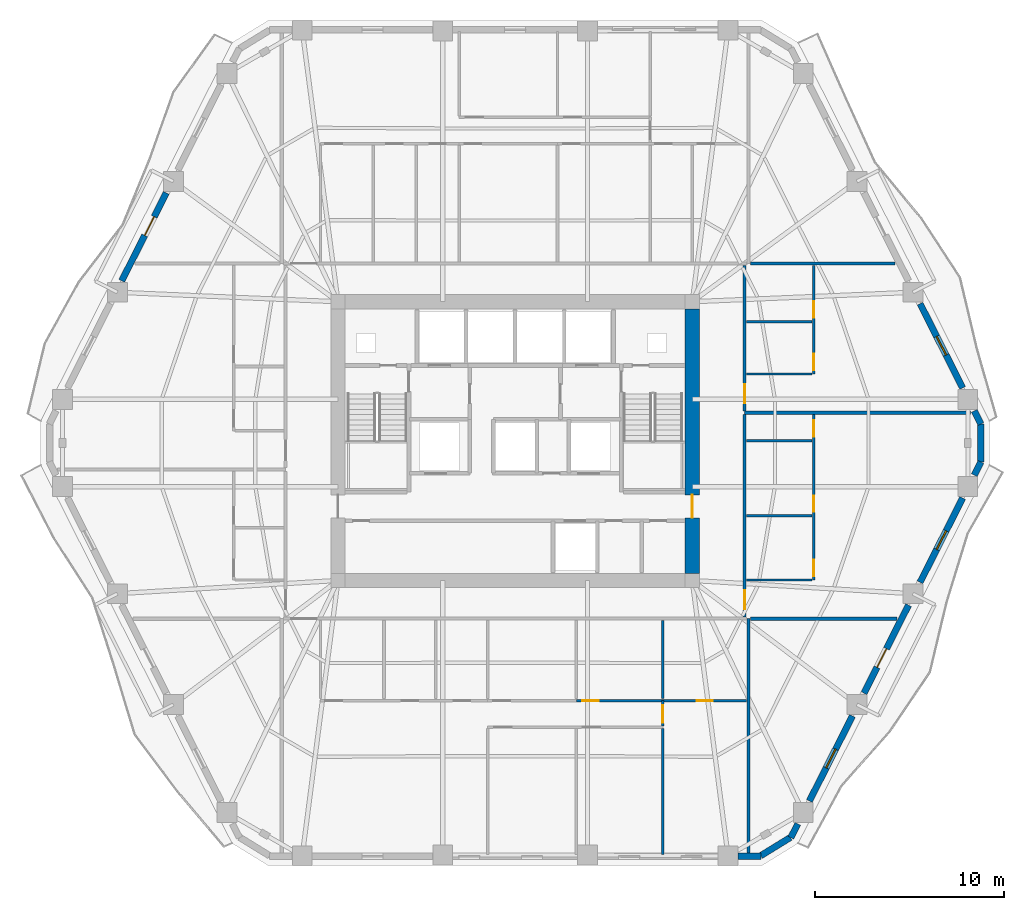
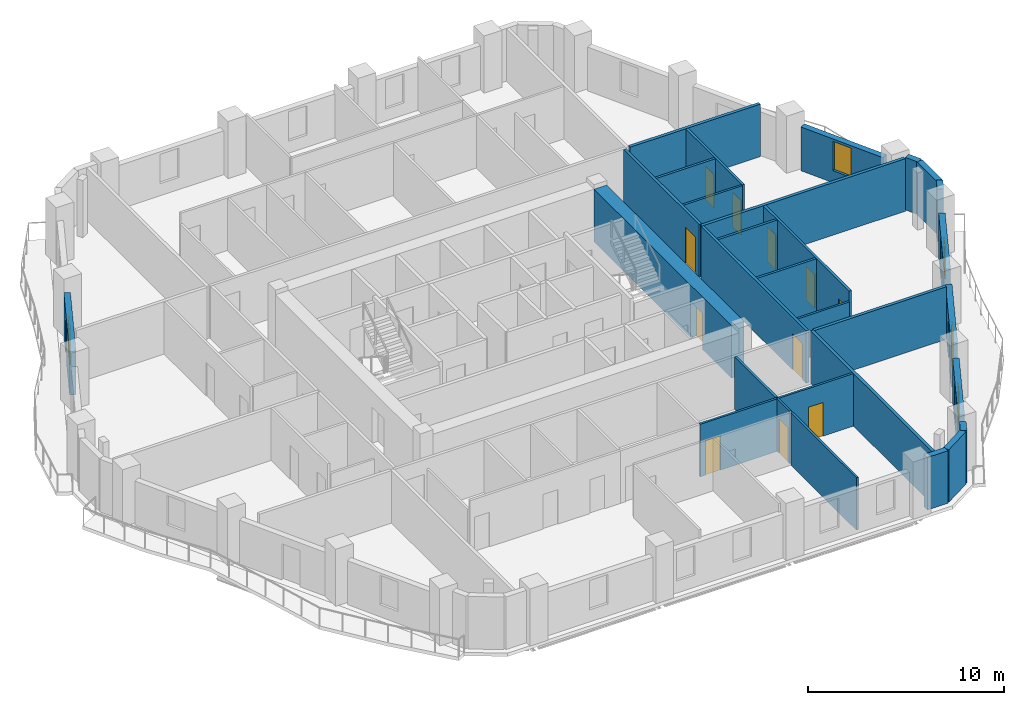
# One storey, part 6 of 11: 29 walls, 13 doors, 3 windows, 16 openings.
"""IFC4 building model written with IfcOpenShell, lengths in metres."""

from ifc_helpers import new_model, si_unit, direction, frame, frame_2d, origin, place, context, subcontext, project, spatial, rectangle, extrude, material, layer, layer_set, type_object, element, fill, save


model = new_model("IFC4")

# Units and contexts
model_context = context("Model", 3, precision=1e-05, world=origin(), true_north=direction((0.0, 1.0)))
body_context = subcontext(model_context, "Body", "Model", "MODEL_VIEW")
ifc_project = project(units=[si_unit("LENGTHUNIT", "METRE"), si_unit("AREAUNIT", "SQUARE_METRE"), si_unit("VOLUMEUNIT", "CUBIC_METRE"), si_unit("PLANEANGLEUNIT", "RADIAN"), si_unit("MASSUNIT", "GRAM", prefix="KILO")], contexts=[model_context])

# Site, building, storey
site_placement = place(None, origin())
site = spatial("IfcSite", under=ifc_project, at=site_placement, CompositionType="ELEMENT")
building_placement = place(site_placement, origin())
building = spatial("IfcBuilding", under=site, at=building_placement, Name="Cinnabar Lancet Tower", CompositionType="ELEMENT")
storey_placement = place(building_placement, frame((0.0, 0.0, 144.550048828125)))
storey = spatial("IfcBuildingStorey", under=building, at=storey_placement, Name="L38", CompositionType="ELEMENT", Elevation=144.550048828125)

# Wall, opening, door
ifc_material_1 = material(Name="Acoustic twin-stud gypsum partition", Category="gypsum")
ifc_layer_1 = layer(ifc_material_1, 0.159912109375)
ifc_layer_set_1 = layer_set([ifc_layer_1], Name="Acoustic twin-stud gypsum partition")
wall_type_1 = type_object("IfcWallType", Name="ARC-WL-CORR-160", PredefinedType="PARTITIONING", material=ifc_layer_set_1)
wall_1_placement = place(storey_placement, frame((44.550048828125, 16.594970703125, 0.0), z_axis=(0.0, 0.0, 1.0), x_axis=(0.0, 1.0, 0.0)))
wall_1 = element("IfcWall", 1, at=wall_1_placement, inside=storey, type_object=wall_type_1, Name="UW-L38-E01-COR", PredefinedType="PARTITIONING", context=body_context, shape_type="SweptSolid", body=[
    extrude(rectangle(XDim=10.714111328125, YDim=0.159912109375, at=frame_2d((5.35693359375, 0.0))), origin(), (0.0, 0.0, 1.0), 3.27001953125),
])
opening_1_placement = place(wall_1_placement, frame((0.39990234375, 0.0, 0.0)))
opening_1 = element("IfcOpeningElement", 2, at=opening_1_placement, cuts=wall_1, Name="Opening UD-01", PredefinedType="OPENING", context=body_context, shape_type="SweptSolid", body=[
    extrude(rectangle(XDim=1.02001953125, YDim=2.25, at=frame_2d((0.510009765625, 1.125))), frame((0.0, 0.08984375, 0.0), z_axis=(0.0, -1.0, 0.0), x_axis=(1.0, 0.0, 0.0)), (0.0, 0.0, 1.0), 0.179931640625),
])
ifc_material_2 = material(Name="Solid timber fire-rated apartment entrance door", Category="wood")
door_type_1 = type_object("IfcDoorType", Name="ARC-DR-UNIT", OperationType="NOTDEFINED", PredefinedType="DOOR", material=ifc_material_2)
door_1_placement = place(opening_1_placement, origin())
door_1 = element("IfcDoor", 3, at=door_1_placement, inside=storey, type_object=door_type_1, Name="DR-L38-E01-ENT", OperationType="SINGLE_SWING_LEFT", OverallHeight=2.25, OverallWidth=1.02001953125, PredefinedType="DOOR", context=body_context, shape_type="SweptSolid", body=[
    extrude(rectangle(XDim=1.02001953125, YDim=2.25, at=frame_2d((0.510009765625, 1.125))), frame((0.0, 0.02490234375, 0.0), z_axis=(0.0, -1.0, 0.0), x_axis=(1.0, 0.0, 0.0)), (0.0, 0.0, 1.0), 0.050048828125),
])
fill(opening_1, door_1)

wall_2_placement = place(storey_placement, frame((44.550048828125, 27.4990234375, 0.0), z_axis=(0.0, 0.0, 1.0), x_axis=(0.0, 1.0, 0.0)))
wall_2 = element("IfcWall", 4, at=wall_2_placement, inside=storey, type_object=wall_type_1, Name="UW-L38-E02-COR", PredefinedType="PARTITIONING", context=body_context, shape_type="SweptSolid", body=[
    extrude(rectangle(XDim=7.7060546875, YDim=0.159912109375, at=frame_2d((3.85302734375, 0.0))), origin(), (0.0, 0.0, 1.0), 3.27001953125),
])
opening_2_placement = place(wall_2_placement, frame((0.39990234375, 0.0, 0.0)))
opening_2 = element("IfcOpeningElement", 5, at=opening_2_placement, cuts=wall_2, Name="Opening UD-01", PredefinedType="OPENING", context=body_context, shape_type="SweptSolid", body=[
    extrude(rectangle(XDim=1.02001953125, YDim=2.25, at=frame_2d((0.510009765625, 1.125))), frame((0.0, 0.08984375, 0.0), z_axis=(0.0, -1.0, 0.0), x_axis=(1.0, 0.0, 0.0)), (0.0, 0.0, 1.0), 0.179931640625),
])
door_2_placement = place(opening_2_placement, origin())
door_2 = element("IfcDoor", 6, at=door_2_placement, inside=storey, type_object=door_type_1, Name="DR-L38-E02-ENT", OperationType="SINGLE_SWING_RIGHT", OverallHeight=2.25, OverallWidth=1.02001953125, PredefinedType="DOOR", context=body_context, shape_type="SweptSolid", body=[
    extrude(rectangle(XDim=1.02001953125, YDim=2.25, at=frame_2d((0.510009765625, 1.125))), frame((0.0, 0.02490234375, 0.0), z_axis=(0.0, -1.0, 0.0), x_axis=(1.0, 0.0, 0.0)), (0.0, 0.0, 1.0), 0.050048828125),
])
fill(opening_2, door_2)

# Walls
ifc_material_3 = material(Name="Fire-rated twin-frame acoustic drywall", Category="gypsum")
ifc_layer_2 = layer(ifc_material_3, 0.179931640625)
ifc_layer_set_2 = layer_set([ifc_layer_2], Name="Fire-rated twin-frame acoustic drywall")
wall_type_2 = type_object("IfcWallType", Name="ARC-WL-PARTY-180", PredefinedType="PARTITIONING", material=ifc_layer_set_2)
wall_3_placement = place(storey_placement, frame((44.75, 4.10498046875, 0.0), z_axis=(0.0, 0.0, 1.0), x_axis=(0.0, 1.0, 0.0)))
element("IfcWall", 7, at=wall_3_placement, inside=storey, type_object=wall_type_2, Name="PW-L38-SPTY-448", PredefinedType="PARTITIONING", context=body_context, shape_type="SweptSolid", body=[
    extrude(rectangle(XDim=12.39501953125, YDim=0.179931640625, at=frame_2d((6.197509765625, 0.0))), origin(), (0.0, 0.0, 1.0), 3.27001953125),
])
wall_4_placement = place(storey_placement, frame((44.844970703125, 16.5, 0.0), z_axis=(0.0, 0.0, 1.0), x_axis=(1.0, 0.0, 0.0)))
element("IfcWall", 8, at=wall_4_placement, inside=storey, type_object=wall_type_2, Name="PW-L38-ESB", PredefinedType="PARTITIONING", context=body_context, shape_type="SweptSolid", body=[
    extrude(rectangle(XDim=7.77001953125, YDim=0.179931640625, at=frame_2d((3.885009765625, 0.0))), origin(), (0.0, 0.0, 1.0), 3.27001953125),
])
wall_5_placement = place(storey_placement, frame((44.844970703125, 35.300048828125, 0.0), z_axis=(0.0, 0.0, 1.0), x_axis=(1.0, 0.0, 0.0)))
element("IfcWall", 9, at=wall_5_placement, inside=storey, type_object=wall_type_2, Name="PW-L38-ENB", PredefinedType="PARTITIONING", context=body_context, shape_type="SweptSolid", body=[
    extrude(rectangle(XDim=7.6689453125, YDim=0.179931640625, at=frame_2d((3.83447265625, 0.0))), origin(), (0.0, 0.0, 1.0), 3.27001953125),
])
wall_6_placement = place(storey_placement, frame((44.550048828125, 27.404052734375, 0.0), z_axis=(0.0, 0.0, 1.0), x_axis=(1.0, 0.0, 0.0)))
element("IfcWall", 10, at=wall_6_placement, inside=storey, type_object=wall_type_2, Name="PW-L38-EPTY-1", PredefinedType="PARTITIONING", context=body_context, shape_type="SweptSolid", body=[
    extrude(rectangle(XDim=11.958984375, YDim=0.179931640625, at=frame_2d((5.9794921875, 0.0))), origin(), (0.0, 0.0, 1.0), 3.27001953125),
])

# Wall, openings, doors
ifc_material_4 = material(Name="Gypsum plasterboard stud partition", Category="gypsum")
ifc_layer_3 = layer(ifc_material_4, 0.125)
ifc_layer_set_3 = layer_set([ifc_layer_3], Name="Gypsum plasterboard stud partition")
wall_type_3 = type_object("IfcWallType", Name="ARC-WL-UNIT-125", PredefinedType="PARTITIONING", material=ifc_layer_set_3)
wall_7_placement = place(storey_placement, frame((35.64208984375, 12.162109375, 0.0), z_axis=(0.0, 0.0, 1.0), x_axis=(1.0, 0.0, 0.0)))
wall_7 = element("IfcWall", 11, at=wall_7_placement, inside=storey, type_object=wall_type_3, Name="UW-L38-S01-SP2", PredefinedType="PARTITIONING", context=body_context, shape_type="SweptSolid", body=[
    extrude(rectangle(XDim=9.012939453125, YDim=0.125, at=frame_2d((4.50634765625, 0.0))), origin(), (0.0, 0.0, 1.0), 3.27001953125),
])
opening_3_placement = place(wall_7_placement, frame((6.3701171875, 0.0, 0.0)))
opening_3 = element("IfcOpeningElement", 12, at=opening_3_placement, cuts=wall_7, Name="Opening BD-01", PredefinedType="OPENING", context=body_context, shape_type="SweptSolid", body=[
    extrude(rectangle(XDim=0.860107421875, YDim=2.10009765625, at=frame_2d((0.43017578125, 1.050048828125))), frame((0.0, 0.072509765625, 0.0), z_axis=(0.0, -1.0, 0.0), x_axis=(1.0, 0.0, 0.0)), (0.0, 0.0, 1.0), 0.14501953125),
])
opening_4_placement = place(wall_7_placement, frame((0.300048828125, 0.0, 0.0)))
opening_4 = element("IfcOpeningElement", 13, at=opening_4_placement, cuts=wall_7, Name="Opening RD-02", PredefinedType="OPENING", context=body_context, shape_type="SweptSolid", body=[
    extrude(rectangle(XDim=0.8798828125, YDim=2.14990234375, at=frame_2d((0.43994140625, 1.074951171875))), frame((0.0, 0.072509765625, 0.0), z_axis=(0.0, -1.0, 0.0), x_axis=(1.0, 0.0, 0.0)), (0.0, 0.0, 1.0), 0.14501953125),
])
ifc_material_5 = material(Name="Moisture-resistant timber bathroom door", Category="wood")
door_type_2 = type_object("IfcDoorType", Name="ARC-DR-BATH", OperationType="NOTDEFINED", PredefinedType="DOOR", material=ifc_material_5)
door_3_placement = place(opening_3_placement, origin())
door_3 = element("IfcDoor", 14, at=door_3_placement, inside=storey, type_object=door_type_2, Name="DR-L38-S01-ENS", OperationType="SINGLE_SWING_LEFT", OverallHeight=2.10009765625, OverallWidth=0.860107421875, PredefinedType="DOOR", context=body_context, shape_type="SweptSolid", body=[
    extrude(rectangle(XDim=0.860107421875, YDim=2.10009765625, at=frame_2d((0.43017578125, 1.050048828125))), frame((0.0, 0.02490234375, 0.0), z_axis=(0.0, -1.0, 0.0), x_axis=(1.0, 0.0, 0.0)), (0.0, 0.0, 1.0), 0.050048828125),
])
fill(opening_3, door_3)
ifc_material_6 = material(Name="Engineered timber study door", Category="wood")
door_type_3 = type_object("IfcDoorType", Name="ARC-DR-STUDY", OperationType="NOTDEFINED", PredefinedType="DOOR", material=ifc_material_6)
door_4_placement = place(opening_4_placement, origin())
door_4 = element("IfcDoor", 15, at=door_4_placement, inside=storey, type_object=door_type_3, Name="DR-L38-S01-DRS", OperationType="SINGLE_SWING_RIGHT", OverallHeight=2.14990234375, OverallWidth=0.8798828125, PredefinedType="DOOR", context=body_context, shape_type="SweptSolid", body=[
    extrude(rectangle(XDim=0.8798828125, YDim=2.14990234375, at=frame_2d((0.43994140625, 1.074951171875))), frame((0.0, 0.02490234375, 0.0), z_axis=(0.0, -1.0, 0.0), x_axis=(1.0, 0.0, 0.0)), (0.0, 0.0, 1.0), 0.050048828125),
])
fill(opening_4, door_4)

# Wall, opening, door
wall_8_placement = place(storey_placement, frame((40.219970703125, 10.83203125, 0.0), z_axis=(0.0, 0.0, 1.0), x_axis=(0.0, 1.0, 0.0)))
wall_8 = element("IfcWall", 16, at=wall_8_placement, inside=storey, type_object=wall_type_3, Name="UW-L38-S01-MBE", PredefinedType="PARTITIONING", context=body_context, shape_type="SweptSolid", body=[
    extrude(rectangle(XDim=1.330078125, YDim=0.125, at=frame_2d((0.6650390625, 0.0))), origin(), (0.0, 0.0, 1.0), 3.27001953125),
])
opening_5_placement = place(wall_8_placement, frame((0.159912109375, 0.0, 0.0)))
opening_5 = element("IfcOpeningElement", 17, at=opening_5_placement, cuts=wall_8, Name="Opening RD-01", PredefinedType="OPENING", context=body_context, shape_type="SweptSolid", body=[
    extrude(rectangle(XDim=0.919921875, YDim=2.14990234375, at=frame_2d((0.4599609375, 1.074951171875))), frame((0.0, 0.072509765625, 0.0), z_axis=(0.0, -1.0, 0.0), x_axis=(1.0, 0.0, 0.0)), (0.0, 0.0, 1.0), 0.14501953125),
])
ifc_material_7 = material(Name="Engineered timber bedroom door", Category="wood")
door_type_4 = type_object("IfcDoorType", Name="ARC-DR-ROOM", OperationType="NOTDEFINED", PredefinedType="DOOR", material=ifc_material_7)
door_5_placement = place(opening_5_placement, origin())
door_5 = element("IfcDoor", 18, at=door_5_placement, inside=storey, type_object=door_type_4, Name="DR-L38-S01-MBD", OperationType="SINGLE_SWING_LEFT", OverallHeight=2.14990234375, OverallWidth=0.919921875, PredefinedType="DOOR", context=body_context, shape_type="SweptSolid", body=[
    extrude(rectangle(XDim=0.919921875, YDim=2.14990234375, at=frame_2d((0.4599609375, 1.074951171875))), frame((0.0, 0.02490234375, 0.0), z_axis=(0.0, -1.0, 0.0), x_axis=(1.0, 0.0, 0.0)), (0.0, 0.0, 1.0), 0.050048828125),
])
fill(opening_5, door_5)

# Walls
wall_9_placement = place(storey_placement, frame((40.219970703125, 4.014892578125, 0.0), z_axis=(0.0, 0.0, 1.0), x_axis=(0.0, 1.0, 0.0)))
element("IfcWall", 19, at=wall_9_placement, inside=storey, type_object=wall_type_3, Name="UW-L38-S01-B23W", PredefinedType="PARTITIONING", context=body_context, shape_type="SweptSolid", body=[
    extrude(rectangle(XDim=6.68212890625, YDim=0.125, at=frame_2d((3.341064453125, 0.0))), origin(), (0.0, 0.0, 1.0), 3.27001953125),
])
wall_10_placement = place(storey_placement, frame((44.635009765625, 18.550048828125, 0.0), z_axis=(0.0, 0.0, 1.0), x_axis=(1.0, 0.0, 0.0)))
element("IfcWall", 20, at=wall_10_placement, inside=storey, type_object=wall_type_3, Name="UW-L38-E01-FOYN", PredefinedType="PARTITIONING", context=body_context, shape_type="SweptSolid", body=[
    extrude(rectangle(XDim=3.47998046875, YDim=0.125, at=frame_2d((1.739990234375, 0.0))), origin(), (0.0, 0.0, 1.0), 2.65185546875),
])
wall_11_placement = place(storey_placement, frame((44.635009765625, 29.4541015625, 0.0), z_axis=(0.0, 0.0, 1.0), x_axis=(1.0, 0.0, 0.0)))
element("IfcWall", 21, at=wall_11_placement, inside=storey, type_object=wall_type_3, Name="UW-L38-E02-FOYN", PredefinedType="PARTITIONING", context=body_context, shape_type="SweptSolid", body=[
    extrude(rectangle(XDim=3.47998046875, YDim=0.125, at=frame_2d((1.739990234375, 0.0))), origin(), (0.0, 0.0, 1.0), 3.27001953125),
])
ifc_material_8 = material(Name="Moisture-resistant cement-board plumbing wall", Category="masonry")
ifc_layer_4 = layer(ifc_material_8, 0.139892578125)
ifc_layer_set_4 = layer_set([ifc_layer_4], Name="Moisture-resistant cement-board plumbing wall")
wall_type_4 = type_object("IfcWallType", Name="ARC-WL-WET-140", PredefinedType="PLUMBINGWALL", material=ifc_layer_set_4)
wall_12_placement = place(storey_placement, frame((40.219970703125, 12.26708984375, 0.0), z_axis=(0.0, 0.0, 1.0), x_axis=(0.0, 1.0, 0.0)))
element("IfcWall", 22, at=wall_12_placement, inside=storey, type_object=wall_type_4, Name="UW-L38-S01-UT3", PredefinedType="PLUMBINGWALL", context=body_context, shape_type="SweptSolid", body=[
    extrude(rectangle(XDim=4.14794921875, YDim=0.139892578125, at=frame_2d((2.073974609375, 0.0))), origin(), (0.0, 0.0, 1.0), 3.27001953125),
])

# Wall, openings, doors
wall_13_placement = place(storey_placement, frame((48.199951171875, 18.550048828125, 0.0), z_axis=(0.0, 0.0, 1.0), x_axis=(0.0, 1.0, 0.0)))
wall_13 = element("IfcWall", 23, at=wall_13_placement, inside=storey, type_object=wall_type_4, Name="UW-L38-E01-SPL", PredefinedType="PLUMBINGWALL", context=body_context, shape_type="SweptSolid", body=[
    extrude(rectangle(XDim=8.759033203125, YDim=0.139892578125, at=frame_2d((4.37939453125, 0.0))), origin(), (0.0, 0.0, 1.0), 3.27001953125),
])
opening_6_placement = place(wall_13_placement, frame((3.60009765625, 0.0, 0.0)))
opening_6 = element("IfcOpeningElement", 24, at=opening_6_placement, cuts=wall_13, Name="Opening BD-01", PredefinedType="OPENING", context=body_context, shape_type="SweptSolid", body=[
    extrude(rectangle(XDim=0.860107421875, YDim=2.10009765625, at=frame_2d((0.43017578125, 1.050048828125))), frame((0.0, 0.079833984375, 0.0), z_axis=(0.0, -1.0, 0.0), x_axis=(1.0, 0.0, 0.0)), (0.0, 0.0, 1.0), 0.159912109375),
])
opening_7_placement = place(wall_13_placement, frame((7.576904296875, 0.0, 0.0)))
opening_7 = element("IfcOpeningElement", 25, at=opening_7_placement, cuts=wall_13, Name="Opening RD-02", PredefinedType="OPENING", context=body_context, shape_type="SweptSolid", body=[
    extrude(rectangle(XDim=0.8798828125, YDim=2.14990234375, at=frame_2d((0.43994140625, 1.074951171875))), frame((0.0, 0.079833984375, 0.0), z_axis=(0.0, -1.0, 0.0), x_axis=(1.0, 0.0, 0.0)), (0.0, 0.0, 1.0), 0.159912109375),
])
opening_8_placement = place(wall_13_placement, frame((0.199951171875, 0.0, 0.0)))
opening_8 = element("IfcOpeningElement", 26, at=opening_8_placement, cuts=wall_13, Name="Opening RD-02", PredefinedType="OPENING", context=body_context, shape_type="SweptSolid", body=[
    extrude(rectangle(XDim=0.8798828125, YDim=2.14990234375, at=frame_2d((0.43994140625, 1.074951171875))), frame((0.0, 0.079833984375, 0.0), z_axis=(0.0, -1.0, 0.0), x_axis=(1.0, 0.0, 0.0)), (0.0, 0.0, 1.0), 0.159912109375),
])
door_6_placement = place(opening_6_placement, origin())
door_6 = element("IfcDoor", 27, at=door_6_placement, inside=storey, type_object=door_type_2, Name="DR-L38-E01-BTH", OperationType="SINGLE_SWING_LEFT", OverallHeight=2.10009765625, OverallWidth=0.860107421875, PredefinedType="DOOR", context=body_context, shape_type="SweptSolid", body=[
    extrude(rectangle(XDim=0.860107421875, YDim=2.10009765625, at=frame_2d((0.43017578125, 1.050048828125))), frame((0.0, 0.02490234375, 0.0), z_axis=(0.0, -1.0, 0.0), x_axis=(1.0, 0.0, 0.0)), (0.0, 0.0, 1.0), 0.050048828125),
])
fill(opening_6, door_6)
door_7_placement = place(opening_7_placement, origin())
door_7 = element("IfcDoor", 28, at=door_7_placement, inside=storey, type_object=door_type_3, Name="DR-L38-E01-WDR", OperationType="SINGLE_SWING_RIGHT", OverallHeight=2.14990234375, OverallWidth=0.8798828125, PredefinedType="DOOR", context=body_context, shape_type="SweptSolid", body=[
    extrude(rectangle(XDim=0.8798828125, YDim=2.14990234375, at=frame_2d((0.43994140625, 1.074951171875))), frame((0.0, 0.02490234375, 0.0), z_axis=(0.0, -1.0, 0.0), x_axis=(1.0, 0.0, 0.0)), (0.0, 0.0, 1.0), 0.050048828125),
])
fill(opening_7, door_7)
door_8_placement = place(opening_8_placement, origin())
door_8 = element("IfcDoor", 29, at=door_8_placement, inside=storey, type_object=door_type_3, Name="DR-L38-E01-KIT", OperationType="SINGLE_SWING_RIGHT", OverallHeight=2.14990234375, OverallWidth=0.8798828125, PredefinedType="DOOR", context=body_context, shape_type="SweptSolid", body=[
    extrude(rectangle(XDim=0.8798828125, YDim=2.14990234375, at=frame_2d((0.43994140625, 1.074951171875))), frame((0.0, 0.02490234375, 0.0), z_axis=(0.0, -1.0, 0.0), x_axis=(1.0, 0.0, 0.0)), (0.0, 0.0, 1.0), 0.050048828125),
])
fill(opening_8, door_8)

# Walls
for number, where, z_axis, x_axis, name in (
    (30, (44.635009765625, 21.949951171875, 0.0), (0.0, 0.0, 1.0), (1.0, 0.0, 0.0), "UW-L38-E01-KDV"),
    (31, (44.635009765625, 25.927001953125, 0.0), (0.0, 0.0, 1.0), (1.0, 0.0, 0.0), "UW-L38-E01-BWDV"),
):
    element("IfcWall", number, at=place(storey_placement, frame(where, z_axis=z_axis, x_axis=x_axis)), inside=storey, type_object=wall_type_4, Name=name, PredefinedType="PLUMBINGWALL", context=body_context, shape_type="SweptSolid", body=[
        extrude(rectangle(XDim=3.47998046875, YDim=0.139892578125, at=frame_2d((1.739990234375, 0.0))), origin(), (0.0, 0.0, 1.0), 3.27001953125),
    ])

# Wall, openings, doors
wall_14_placement = place(storey_placement, frame((48.199951171875, 29.4541015625, 0.0), z_axis=(0.0, 0.0, 1.0), x_axis=(0.0, 1.0, 0.0)))
wall_14 = element("IfcWall", 32, at=wall_14_placement, inside=storey, type_object=wall_type_4, Name="UW-L38-E02-SPL", PredefinedType="PLUMBINGWALL", context=body_context, shape_type="SweptSolid", body=[
    extrude(rectangle(XDim=5.7509765625, YDim=0.139892578125, at=frame_2d((2.87548828125, 0.0))), origin(), (0.0, 0.0, 1.0), 3.27001953125),
])
opening_9_placement = place(wall_14_placement, frame((2.97998046875, 0.0, 0.0)))
opening_9 = element("IfcOpeningElement", 33, at=opening_9_placement, cuts=wall_14, Name="Opening BD-01", PredefinedType="OPENING", context=body_context, shape_type="SweptSolid", body=[
    extrude(rectangle(XDim=0.860107421875, YDim=2.10009765625, at=frame_2d((0.43017578125, 1.050048828125))), frame((0.0, 0.079833984375, 0.0), z_axis=(0.0, -1.0, 0.0), x_axis=(1.0, 0.0, 0.0)), (0.0, 0.0, 1.0), 0.159912109375),
])
opening_10_placement = place(wall_14_placement, frame((0.199951171875, 0.0, 0.0)))
opening_10 = element("IfcOpeningElement", 34, at=opening_10_placement, cuts=wall_14, Name="Opening RD-02", PredefinedType="OPENING", context=body_context, shape_type="SweptSolid", body=[
    extrude(rectangle(XDim=0.8798828125, YDim=2.14990234375, at=frame_2d((0.43994140625, 1.074951171875))), frame((0.0, 0.079833984375, 0.0), z_axis=(0.0, -1.0, 0.0), x_axis=(1.0, 0.0, 0.0)), (0.0, 0.0, 1.0), 0.159912109375),
])
door_9_placement = place(opening_9_placement, origin())
door_9 = element("IfcDoor", 35, at=door_9_placement, inside=storey, type_object=door_type_2, Name="DR-L38-E02-BTH", OperationType="SINGLE_SWING_RIGHT", OverallHeight=2.10009765625, OverallWidth=0.860107421875, PredefinedType="DOOR", context=body_context, shape_type="SweptSolid", body=[
    extrude(rectangle(XDim=0.860107421875, YDim=2.10009765625, at=frame_2d((0.43017578125, 1.050048828125))), frame((0.0, 0.02490234375, 0.0), z_axis=(0.0, -1.0, 0.0), x_axis=(1.0, 0.0, 0.0)), (0.0, 0.0, 1.0), 0.050048828125),
])
fill(opening_9, door_9)
door_10_placement = place(opening_10_placement, origin())
door_10 = element("IfcDoor", 36, at=door_10_placement, inside=storey, type_object=door_type_3, Name="DR-L38-E02-KIT", OperationType="SINGLE_SWING_LEFT", OverallHeight=2.14990234375, OverallWidth=0.8798828125, PredefinedType="DOOR", context=body_context, shape_type="SweptSolid", body=[
    extrude(rectangle(XDim=0.8798828125, YDim=2.14990234375, at=frame_2d((0.43994140625, 1.074951171875))), frame((0.0, 0.02490234375, 0.0), z_axis=(0.0, -1.0, 0.0), x_axis=(1.0, 0.0, 0.0)), (0.0, 0.0, 1.0), 0.050048828125),
])
fill(opening_10, door_10)

# Walls
wall_15_placement = place(storey_placement, frame((44.635009765625, 32.214111328125, 0.0), z_axis=(0.0, 0.0, 1.0), x_axis=(1.0, 0.0, 0.0)))
element("IfcWall", 37, at=wall_15_placement, inside=storey, type_object=wall_type_4, Name="UW-L38-E02-KDV", PredefinedType="PLUMBINGWALL", context=body_context, shape_type="SweptSolid", body=[
    extrude(rectangle(XDim=3.47998046875, YDim=0.139892578125, at=frame_2d((1.739990234375, 0.0))), origin(), (0.0, 0.0, 1.0), 3.27001953125),
])
ifc_material_9 = material(Name="Cinnabar red clay brick", Category="masonry")
ifc_layer_5 = layer(ifc_material_9, 0.340087890625)
ifc_layer_set_5 = layer_set([ifc_layer_5], Name="Cinnabar red clay brick")
wall_type_5 = type_object("IfcWallType", Name="ENV-WL-BRK-RED-340", PredefinedType="STANDARD", material=ifc_layer_set_5)
wall_16_placement = place(storey_placement, frame((45.39697265625, 3.955078125, 0.0), z_axis=(0.0, 0.0, 1.0), x_axis=(0.851798915137, 0.523868884523, 0.0)))
element("IfcWall", 38, at=wall_16_placement, inside=storey, type_object=wall_type_5, Name="L38 Chamfered Corner Brick Pier 2.1", PredefinedType="STANDARD", context=body_context, shape_type="SweptSolid", body=[
    extrude(rectangle(XDim=1.847900390625, YDim=0.340087890625, at=frame_2d((0.923828125, 0.0))), origin(), (0.0, 0.0, 1.0), 3.27001953125),
])
wall_17_placement = place(storey_placement, frame((57.032958984375, 24.802978515625, 0.0), z_axis=(0.0, 0.0, 1.0), x_axis=(0.0, 1.0, 0.0)))
element("IfcWall", 39, at=wall_17_placement, inside=storey, type_object=wall_type_5, Name="L38 Chamfered Corner Brick Pier 3.1", PredefinedType="STANDARD", context=body_context, shape_type="SweptSolid", body=[
    extrude(rectangle(XDim=1.994140625, YDim=0.340087890625, at=frame_2d((0.9970703125, 0.0))), origin(), (0.0, 0.0, 1.0), 3.27001953125),
])
wall_18_placement = place(storey_placement, frame((44.197998046875, 3.929931640625, 0.0), z_axis=(0.0, 0.0, 1.0), x_axis=(1.0, 0.0, 0.0)))
element("IfcWall", 40, at=wall_18_placement, inside=storey, type_object=wall_type_5, Name="L38 Face 1 Masonry Bay Wall 5", PredefinedType="STANDARD", context=body_context, shape_type="SweptSolid", body=[
    extrude(rectangle(XDim=1.2041015625, YDim=0.340087890625, at=frame_2d((0.60205078125, 0.0))), origin(), (0.0, 0.0, 1.0), 3.27001953125),
])
wall_19_placement = place(storey_placement, frame((46.990966796875, 4.906982421875, 0.0), z_axis=(0.0, 0.0, 1.0), x_axis=(0.45172514337, 0.892157158155, 0.0)))
element("IfcWall", 41, at=wall_19_placement, inside=storey, type_object=wall_type_5, Name="L38 Face 2 Masonry Bay Wall 1", PredefinedType="STANDARD", context=body_context, shape_type="SweptSolid", body=[
    extrude(rectangle(XDim=0.821533203125, YDim=0.340087890625, at=frame_2d((0.41064453125, 0.0))), origin(), (0.0, 0.0, 1.0), 3.27001953125),
])

# Wall, opening, window
wall_20_placement = place(storey_placement, frame((47.97509765625, 6.85205078125, 0.0), z_axis=(0.0, 0.0, 1.0), x_axis=(0.451548465867, 0.892246593142, 0.0)))
wall_20 = element("IfcWall", 42, at=wall_20_placement, inside=storey, type_object=wall_type_5, Name="L38 Face 2 Masonry Bay Wall 2", PredefinedType="STANDARD", context=body_context, shape_type="SweptSolid", body=[
    extrude(rectangle(XDim=5.040283203125, YDim=0.340087890625, at=frame_2d((2.52001953125, 0.0))), origin(), (0.0, 0.0, 1.0), 2.72705078125),
])
opening_11_placement = place(wall_20_placement, frame((1.969970703125, 0.0, 0.75)))
opening_11 = element("IfcOpeningElement", 43, at=opening_11_placement, cuts=wall_20, Name="Opening WN-04", PredefinedType="OPENING", context=body_context, shape_type="SweptSolid", body=[
    extrude(rectangle(XDim=1.10009765625, YDim=1.826904296875, at=frame_2d((0.550048828125, 0.91357421875))), frame((0.0, 0.179931640625, 0.0), z_axis=(0.0, -1.0, 0.0), x_axis=(1.0, 0.0, 0.0)), (0.0, 0.0, 1.0), 0.360107421875),
])
ifc_material_10 = material(Name="Thermally broken bronze-anodized aluminium tall lancet window", Category="aluminium")
window_type = type_object("IfcWindowType", Name="ENV-WN-LANCET-1100", PartitioningType="SINGLE_PANEL", PredefinedType="WINDOW", material=ifc_material_10)
window_1_placement = place(opening_11_placement, origin())
window_1 = element("IfcWindow", 44, at=window_1_placement, inside=storey, type_object=window_type, Name="L38 Face 2 Gothic Lancet Window 2", OverallHeight=1.826904296875, OverallWidth=1.10009765625, PartitioningType="SINGLE_PANEL", PredefinedType="WINDOW", context=body_context, shape_type="SweptSolid", body=[
    extrude(rectangle(XDim=1.10009765625, YDim=1.826904296875, at=frame_2d((0.550048828125, 0.91357421875))), frame((0.0, 0.030029296875, 0.0), z_axis=(0.0, -1.0, 0.0), x_axis=(1.0, 0.0, 0.0)), (0.0, 0.0, 1.0), 0.06005859375),
])
fill(opening_11, window_1)

# Wall, opening, door
wall_21_placement = place(storey_placement, frame((50.863037109375, 12.56103515625, 0.0), z_axis=(0.0, 0.0, 1.0), x_axis=(0.451567731634, 0.892236842855, 0.0)))
wall_21 = element("IfcWall", 45, at=wall_21_placement, inside=storey, type_object=wall_type_5, Name="L38 Face 2 Masonry Bay Wall 3", PredefinedType="STANDARD", context=body_context, shape_type="SweptSolid", body=[
    extrude(rectangle(XDim=5.219482421875, YDim=0.340087890625, at=frame_2d((2.60986328125, 0.0))), origin(), (0.0, 0.0, 1.0), 2.72705078125),
])
opening_12_placement = place(wall_21_placement, frame((1.531982421875, 0.0, 0.0)))
opening_12 = element("IfcOpeningElement", 46, at=opening_12_placement, cuts=wall_21, Name="Opening TD-01", PredefinedType="OPENING", context=body_context, shape_type="SweptSolid", body=[
    extrude(rectangle(XDim=1.10009765625, YDim=2.25, at=frame_2d((0.550048828125, 1.125))), frame((0.0, 0.179931640625, 0.0), z_axis=(0.0, -1.0, 0.0), x_axis=(1.0, 0.0, 0.0)), (0.0, 0.0, 1.0), 0.360107421875),
])
ifc_material_11 = material(Name="Thermally broken low-E glazed balcony terrace door", Category="wood")
door_type_5 = type_object("IfcDoorType", Name="ARC-DR-BALC", OperationType="NOTDEFINED", PredefinedType="DOOR", material=ifc_material_11)
door_11_placement = place(opening_12_placement, origin())
door_11 = element("IfcDoor", 47, at=door_11_placement, inside=storey, type_object=door_type_5, Name="L38 Face 2 Glazed Terrace Door", OperationType="SINGLE_SWING_LEFT", OverallHeight=2.25, OverallWidth=1.10009765625, PredefinedType="DOOR", context=body_context, shape_type="SweptSolid", body=[
    extrude(rectangle(XDim=1.10009765625, YDim=2.25, at=frame_2d((0.550048828125, 1.125))), frame((0.0, 0.02490234375, 0.0), z_axis=(0.0, -1.0, 0.0), x_axis=(1.0, 0.0, 0.0)), (0.0, 0.0, 1.0), 0.050048828125),
])
fill(opening_12, door_11)

# Wall, opening, window
wall_22_placement = place(storey_placement, frame((53.83203125, 18.427978515625, 0.0), z_axis=(0.0, 0.0, 1.0), x_axis=(0.451431617681, 0.892305718102, 0.0)))
wall_22 = element("IfcWall", 48, at=wall_22_placement, inside=storey, type_object=wall_type_5, Name="L38 Face 2 Masonry Bay Wall 4", PredefinedType="STANDARD", context=body_context, shape_type="SweptSolid", body=[
    extrude(rectangle(XDim=4.994873046875, YDim=0.340087890625, at=frame_2d((2.49755859375, 0.0))), origin(), (0.0, 0.0, 1.0), 2.72705078125),
])
opening_13_placement = place(wall_22_placement, frame((1.947021484375, 0.0, 0.75)))
opening_13 = element("IfcOpeningElement", 49, at=opening_13_placement, cuts=wall_22, Name="Opening WN-04", PredefinedType="OPENING", context=body_context, shape_type="SweptSolid", body=[
    extrude(rectangle(XDim=1.10009765625, YDim=1.826904296875, at=frame_2d((0.550048828125, 0.91357421875))), frame((0.0, 0.179931640625, 0.0), z_axis=(0.0, -1.0, 0.0), x_axis=(1.0, 0.0, 0.0)), (0.0, 0.0, 1.0), 0.360107421875),
])
window_2_placement = place(opening_13_placement, origin())
window_2 = element("IfcWindow", 50, at=window_2_placement, inside=storey, type_object=window_type, Name="L38 Face 2 Gothic Lancet Window 4", OverallHeight=1.826904296875, OverallWidth=1.10009765625, PartitioningType="SINGLE_PANEL", PredefinedType="WINDOW", context=body_context, shape_type="SweptSolid", body=[
    extrude(rectangle(XDim=1.10009765625, YDim=1.826904296875, at=frame_2d((0.550048828125, 0.91357421875))), frame((0.0, 0.030029296875, 0.0), z_axis=(0.0, -1.0, 0.0), x_axis=(1.0, 0.0, 0.0)), (0.0, 0.0, 1.0), 0.06005859375),
])
fill(opening_13, window_2)

# Walls
for number, where, z_axis, x_axis, name in (
    (51, (56.699951171875, 24.096923828125, 0.0), (0.0, 0.0, 1.0), (0.451819324107, 0.89210946546, 0.0), "L38 Face 2 Masonry Bay Wall 5"),
    (52, (57.053955078125, 26.803955078125, 0.0), (0.0, 0.0, 1.0), (-0.451819324107, 0.89210946546, 0.0), "L38 Face 3 Masonry Bay Wall 1"),
):
    element("IfcWall", number, at=place(storey_placement, frame(where, z_axis=z_axis, x_axis=x_axis)), inside=storey, type_object=wall_type_5, Name=name, PredefinedType="STANDARD", context=body_context, shape_type="SweptSolid", body=[
        extrude(rectangle(XDim=0.783447265625, YDim=0.340087890625, at=frame_2d((0.3916015625, 0.0))), origin(), (0.0, 0.0, 1.0), 3.27001953125),
    ])

# Wall, opening, window
wall_23_placement = place(storey_placement, frame((56.0869140625, 28.715087890625, 0.0), z_axis=(0.0, 0.0, 1.0), x_axis=(-0.451431617681, 0.892305718102, 0.0)))
wall_23 = element("IfcWall", 53, at=wall_23_placement, inside=storey, type_object=wall_type_5, Name="L38 Face 3 Masonry Bay Wall 2", PredefinedType="STANDARD", context=body_context, shape_type="SweptSolid", body=[
    extrude(rectangle(XDim=4.994873046875, YDim=0.340087890625, at=frame_2d((2.49755859375, 0.0))), origin(), (0.0, 0.0, 1.0), 2.72705078125),
])
opening_14_placement = place(wall_23_placement, frame((1.947021484375, 0.0, 0.75)))
opening_14 = element("IfcOpeningElement", 54, at=opening_14_placement, cuts=wall_23, Name="Opening WN-04", PredefinedType="OPENING", context=body_context, shape_type="SweptSolid", body=[
    extrude(rectangle(XDim=1.10009765625, YDim=1.826904296875, at=frame_2d((0.550048828125, 0.91357421875))), frame((0.0, 0.179931640625, 0.0), z_axis=(0.0, -1.0, 0.0), x_axis=(1.0, 0.0, 0.0)), (0.0, 0.0, 1.0), 0.360107421875),
])
window_3_placement = place(opening_14_placement, origin())
window_3 = element("IfcWindow", 55, at=window_3_placement, inside=storey, type_object=window_type, Name="L38 Face 3 Gothic Lancet Window 2", OverallHeight=1.826904296875, OverallWidth=1.10009765625, PartitioningType="SINGLE_PANEL", PredefinedType="WINDOW", context=body_context, shape_type="SweptSolid", body=[
    extrude(rectangle(XDim=1.10009765625, YDim=1.826904296875, at=frame_2d((0.550048828125, 0.91357421875))), frame((0.0, 0.030029296875, 0.0), z_axis=(0.0, -1.0, 0.0), x_axis=(1.0, 0.0, 0.0)), (0.0, 0.0, 1.0), 0.06005859375),
])
fill(opening_14, window_3)

# Wall, opening, door
wall_24_placement = place(storey_placement, frame((13.93701171875, 39.0390625, 0.0), z_axis=(0.0, 0.0, 1.0), x_axis=(-0.451567731634, -0.892236842855, 0.0)))
wall_24 = element("IfcWall", 56, at=wall_24_placement, inside=storey, type_object=wall_type_5, Name="L38 Face 5 Masonry Bay Wall 3", PredefinedType="STANDARD", context=body_context, shape_type="SweptSolid", body=[
    extrude(rectangle(XDim=5.219482421875, YDim=0.340087890625, at=frame_2d((2.60986328125, 0.0))), origin(), (0.0, 0.0, 1.0), 2.72705078125),
])
opening_15_placement = place(wall_24_placement, frame((1.419921875, 0.0, 0.0)))
opening_15 = element("IfcOpeningElement", 57, at=opening_15_placement, cuts=wall_24, Name="Opening TD-01", PredefinedType="OPENING", context=body_context, shape_type="SweptSolid", body=[
    extrude(rectangle(XDim=1.10009765625, YDim=2.25, at=frame_2d((0.550048828125, 1.125))), frame((0.0, 0.179931640625, 0.0), z_axis=(0.0, -1.0, 0.0), x_axis=(1.0, 0.0, 0.0)), (0.0, 0.0, 1.0), 0.360107421875),
])
door_12_placement = place(opening_15_placement, origin())
door_12 = element("IfcDoor", 58, at=door_12_placement, inside=storey, type_object=door_type_5, Name="L38 Face 5 Glazed Terrace Door", OperationType="SINGLE_SWING_RIGHT", OverallHeight=2.25, OverallWidth=1.10009765625, PredefinedType="DOOR", context=body_context, shape_type="SweptSolid", body=[
    extrude(rectangle(XDim=1.10009765625, YDim=2.25, at=frame_2d((0.550048828125, 1.125))), frame((0.0, 0.02490234375, 0.0), z_axis=(0.0, -1.0, 0.0), x_axis=(1.0, 0.0, 0.0)), (0.0, 0.0, 1.0), 0.050048828125),
])
fill(opening_15, door_12)

ifc_material_12 = material(Name="Concrete C70/85", Category="concrete")
ifc_layer_6 = layer(ifc_material_12, 0.75)
ifc_layer_set_6 = layer_set([ifc_layer_6], Name="Concrete C70/85")
wall_type_6 = type_object("IfcWallType", Name="STR-WL-CORE-750", PredefinedType="SHEAR", material=ifc_layer_set_6)
wall_25_placement = place(storey_placement, frame((41.77490234375, 18.89990234375, 0.0), z_axis=(0.0, 0.0, 1.0), x_axis=(0.0, 1.0, 0.0)))
wall_25 = element("IfcWall", 59, at=wall_25_placement, inside=storey, type_object=wall_type_6, Name="L38 Core Shear Wall E", PredefinedType="SHEAR", context=body_context, shape_type="SweptSolid", body=[
    extrude(rectangle(XDim=14.0, YDim=0.75, at=frame_2d((7.0, 0.0))), origin(), (0.0, 0.0, 1.0), 3.27001953125),
])
opening_16_placement = place(wall_25_placement, frame((2.93994140625, 0.0, 0.0)))
opening_16 = element("IfcOpeningElement", 60, at=opening_16_placement, cuts=wall_25, Name="Opening FD-02", PredefinedType="OPENING", context=body_context, shape_type="SweptSolid", body=[
    extrude(rectangle(XDim=1.219970703125, YDim=2.25, at=frame_2d((0.60986328125, 1.125))), frame((0.0, 0.385009765625, 0.0), z_axis=(0.0, -1.0, 0.0), x_axis=(1.0, 0.0, 0.0)), (0.0, 0.0, 1.0), 0.77001953125),
])
ifc_material_13 = material(Name="Fire-rated double-vision core portal door", Category="wood")
door_type_6 = type_object("IfcDoorType", Name="ARC-DR-CPORT", OperationType="NOTDEFINED", PredefinedType="DOOR", material=ifc_material_13)
door_13_placement = place(opening_16_placement, origin())
door_13 = element("IfcDoor", 61, at=door_13_placement, inside=storey, type_object=door_type_6, Name="L38 East Core Lobby Fire Door", OperationType="SINGLE_SWING_LEFT", OverallHeight=2.25, OverallWidth=1.219970703125, PredefinedType="DOOR", context=body_context, shape_type="SweptSolid", body=[
    extrude(rectangle(XDim=1.219970703125, YDim=2.25, at=frame_2d((0.60986328125, 1.125))), frame((0.0, 0.02490234375, 0.0), z_axis=(0.0, -1.0, 0.0), x_axis=(1.0, 0.0, 0.0)), (0.0, 0.0, 1.0), 0.050048828125),
])
fill(opening_16, door_13)

save(model, "model.ifc")
